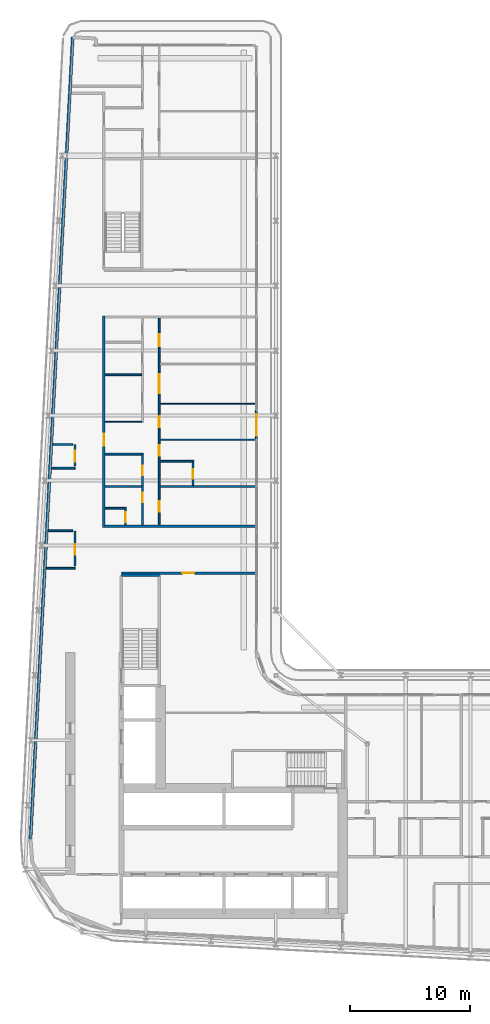
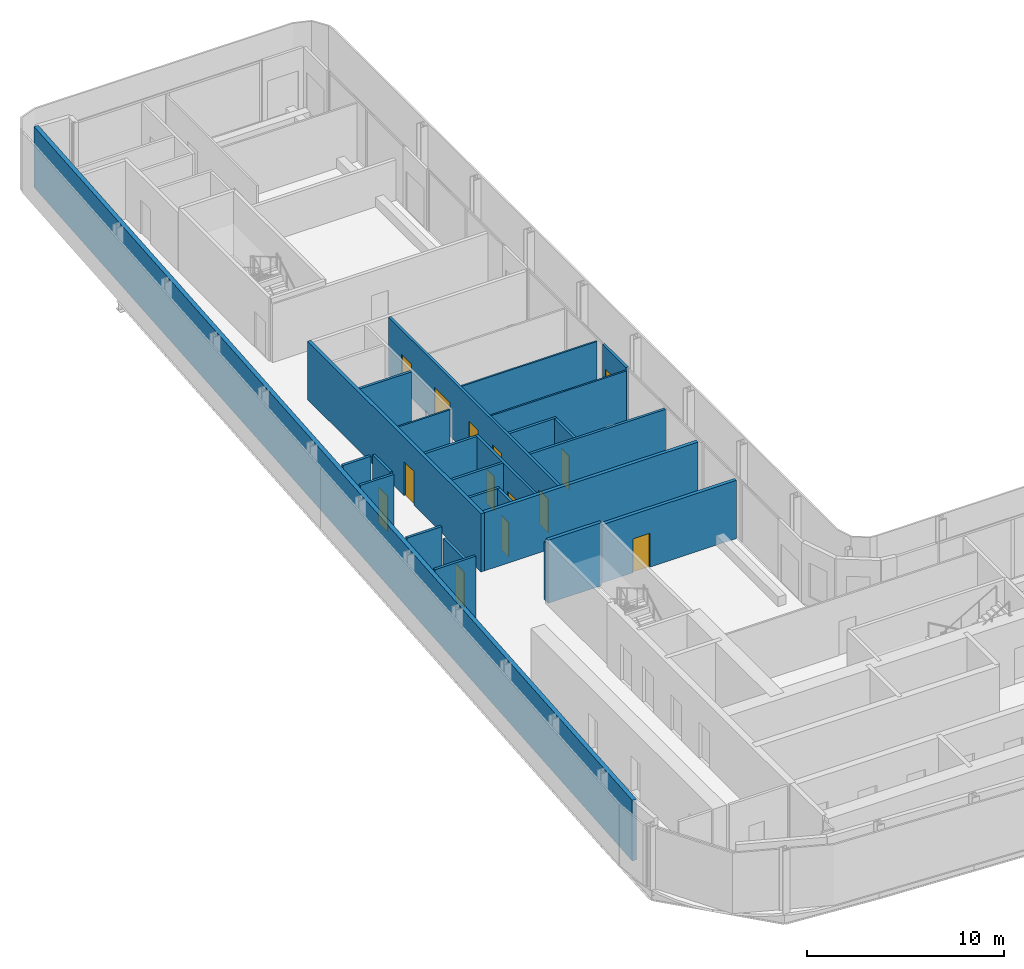
# One storey, part 18 of 29: 25 walls, 14 doors, 14 openings.
"""IFC4 building model written with IfcOpenShell, lengths in metres."""

from ifc_helpers import new_model, si_unit, direction, frame, frame_2d, origin, place, context, subcontext, project, spatial, rectangle, extrude, source, transform, mapped, material, layer, layer_set, type_object, element, fill, save


model = new_model("IFC4")

# Units and contexts
model_context = context("Model", 3, precision=1e-05, world=origin(), true_north=direction((0.0, 1.0)))
body_context = subcontext(model_context, "Body", "Model", "MODEL_VIEW")
ifc_project = project(units=[si_unit("LENGTHUNIT", "METRE"), si_unit("AREAUNIT", "SQUARE_METRE"), si_unit("VOLUMEUNIT", "CUBIC_METRE"), si_unit("PLANEANGLEUNIT", "RADIAN"), si_unit("MASSUNIT", "GRAM", prefix="KILO")], contexts=[model_context])

# Site, building, storey
site_placement = place(None, origin())
site = spatial("IfcSite", under=ifc_project, at=site_placement, CompositionType="ELEMENT")
building_placement = place(site_placement, origin())
building = spatial("IfcBuilding", under=site, at=building_placement, Name="Kheshtan School and Residences Tower", CompositionType="ELEMENT")
storey_placement = place(building_placement, frame((0.0, 0.0, 168.199951171875)))
storey = spatial("IfcBuildingStorey", under=building, at=storey_placement, Name="L39", CompositionType="ELEMENT", Elevation=168.199951171875)

# Wall, opening, door
ifc_material_1 = material(Name="Gypsum board on steel studs with fire boards", Category="steel")
ifc_layer_1 = layer(ifc_material_1, 0.199951171875)
ifc_layer_set_1 = layer_set([ifc_layer_1], Name="Corridor wall 200")
wall_type_1 = type_object("IfcWallType", Name="Corridor wall 200", PredefinedType="PARTITIONING", material=ifc_layer_set_1)
wall_1_placement = place(storey_placement, frame((33.300048828125, 57.89990234375, 0.0), z_axis=(0.0, 0.0, 1.0), x_axis=(0.0, 1.0, 0.0)))
wall_1 = element("IfcWall", 1, at=wall_1_placement, inside=storey, type_object=wall_type_1, Name="Partition L39-003", PredefinedType="PARTITIONING", context=body_context, shape_type="SweptSolid", body=[
    extrude(rectangle(XDim=17.60009765625, YDim=0.199951171875, at=frame_2d((8.800048828125, 0.0))), origin(), (0.0, 0.0, 1.0), 3.60009765625),
])
opening_1_placement = place(wall_1_placement, frame((6.800048828125, 0.0, 0.0)))
opening_1 = element("IfcOpeningElement", 2, at=opening_1_placement, cuts=wall_1, Name="Opening D39-035", PredefinedType="OPENING", context=body_context, shape_type="SweptSolid", body=[
    extrude(rectangle(XDim=1.0, YDim=2.10009765625, at=frame_2d((0.5, 1.050048828125))), frame((0.0, 0.10986328125, 0.0), z_axis=(0.0, -1.0, 0.0), x_axis=(1.0, 0.0, 0.0)), (0.0, 0.0, 1.0), 0.219970703125),
])
ifc_material_2 = material(Name="Steel-framed fire-resisting door leaf", Category="steel")
door_type_1 = type_object("IfcDoorType", Name="Fire door FD30S 1000 x 2100", OperationType="SINGLE_SWING_LEFT", PredefinedType="DOOR", material=ifc_material_2)
shared_shape_1 = source(origin(), body_context, "Body", "SweptSolid", [
    extrude(rectangle(XDim=1.0, YDim=2.10009765625, at=frame_2d((0.5, 1.050048828125))), frame((0.0, 0.02490234375, 0.0), z_axis=(0.0, -1.0, 0.0), x_axis=(1.0, 0.0, 0.0)), (0.0, 0.0, 1.0), 0.050048828125),
])
door_1_placement = place(opening_1_placement, origin())
door_1 = element("IfcDoor", 3, at=door_1_placement, inside=storey, type_object=door_type_1, Name="Door D39-035", OperationType="SINGLE_SWING_RIGHT", OverallHeight=2.10009765625, OverallWidth=1.0, PredefinedType="DOOR", context=body_context, shape_type="MappedRepresentation", body=[
    mapped(shared_shape_1, transform((0.0, 0.0, 0.0), x_axis=(1.0, 0.0, 0.0), y_axis=(0.0, 1.0, 0.0), z_axis=(0.0, 0.0, 1.0), scale=1.0)),
])
fill(opening_1, door_1)

# Wall
wall_2_placement = place(storey_placement, frame((33.39990234375, 58.0, 0.0), z_axis=(0.0, 0.0, 1.0), x_axis=(1.0, 0.0, 0.0)))
element("IfcWall", 4, at=wall_2_placement, inside=storey, type_object=wall_type_1, Name="Partition L39-006", PredefinedType="PARTITIONING", context=body_context, shape_type="SweptSolid", body=[
    extrude(rectangle(XDim=12.5, YDim=0.199951171875, at=frame_2d((6.25, 0.0))), origin(), (0.0, 0.0, 1.0), 3.60009765625),
])

# Wall, opening, door
wall_3_placement = place(storey_placement, frame((34.75, 54.10009765625, 0.0), z_axis=(0.0, 0.0, 1.0), x_axis=(1.0, 0.0, 0.0)))
wall_3 = element("IfcWall", 5, at=wall_3_placement, inside=storey, type_object=wall_type_1, Name="Partition L39-018", PredefinedType="PARTITIONING", context=body_context, shape_type="SweptSolid", body=[
    extrude(rectangle(XDim=11.14990234375, YDim=0.199951171875, at=frame_2d((5.574951171875, 0.0))), origin(), (0.0, 0.0, 1.0), 3.60009765625),
])
opening_2_placement = place(wall_3_placement, frame((5.074951171875, 0.0, 0.0)))
opening_2 = element("IfcOpeningElement", 6, at=opening_2_placement, cuts=wall_3, Name="Opening D39-051", PredefinedType="OPENING", context=body_context, shape_type="SweptSolid", body=[
    extrude(rectangle(XDim=1.0, YDim=2.10009765625, at=frame_2d((0.5, 1.050048828125))), frame((0.0, 0.10986328125, 0.0), z_axis=(0.0, -1.0, 0.0), x_axis=(1.0, 0.0, 0.0)), (0.0, 0.0, 1.0), 0.219970703125),
])
door_type_2 = type_object("IfcDoorType", Name="Fire door FD60 1000 x 2100", OperationType="SINGLE_SWING_LEFT", PredefinedType="DOOR", material=ifc_material_2)
shared_shape_2 = source(origin(), body_context, "Body", "SweptSolid", [
    extrude(rectangle(XDim=1.0, YDim=2.10009765625, at=frame_2d((0.5, 1.050048828125))), frame((0.0, 0.02490234375, 0.0), z_axis=(0.0, -1.0, 0.0), x_axis=(1.0, 0.0, 0.0)), (0.0, 0.0, 1.0), 0.050048828125),
])
door_2_placement = place(opening_2_placement, origin())
door_2 = element("IfcDoor", 7, at=door_2_placement, inside=storey, type_object=door_type_2, Name="Door D39-051", OperationType="SINGLE_SWING_RIGHT", OverallHeight=2.10009765625, OverallWidth=1.0, PredefinedType="DOOR", context=body_context, shape_type="MappedRepresentation", body=[
    mapped(shared_shape_2, transform((0.0, 0.0, 0.0), x_axis=(1.0, 0.0, 0.0), y_axis=(0.0, 1.0, 0.0), z_axis=(0.0, 0.0, 1.0), scale=1.0)),
])
fill(opening_2, door_2)

# Wall
ifc_material_3 = material(Name="Concrete C40/50 with ceramic cladding and mineral wool insulation", Category="concrete")
ifc_layer_2 = layer(ifc_material_3, 0.25)
ifc_layer_set_2 = layer_set([ifc_layer_2], Name="External wall 250 ceramic clad")
wall_type_2 = type_object("IfcWallType", Name="External wall 250 ceramic clad", PredefinedType="SOLIDWALL", material=ifc_layer_set_2)
wall_4_placement = place(storey_placement, frame((27.195068359375, 31.968994140625, 0.0), z_axis=(0.0, 0.0, 1.0), x_axis=(0.052554995867, 0.998618031286, 0.0)))
element("IfcWall", 8, at=wall_4_placement, inside=storey, type_object=wall_type_2, Name="External wall L39 4", PredefinedType="SOLIDWALL", context=body_context, shape_type="SweptSolid", body=[
    extrude(rectangle(XDim=66.787353515625, YDim=0.25, at=frame_2d((33.3935546875, 0.0))), origin(), (0.0, 0.0, 1.0), 3.75),
])

# Wall, opening, door
ifc_material_4 = material(Name="Aluminium frame wall with insulated infill", Category="aluminium")
ifc_layer_3 = layer(ifc_material_4, 0.14990234375)
ifc_layer_set_3 = layer_set([ifc_layer_3], Name="Glazing frame wall 150")
wall_type_3 = type_object("IfcWallType", Name="Glazing frame wall 150", PredefinedType="SOLIDWALL", material=ifc_layer_set_3)
wall_5_placement = place(storey_placement, frame((45.97509765625, 67.617919921875, 0.0), z_axis=(0.0, 0.0, 1.0), x_axis=(0.0, -1.0, 0.0)))
wall_5 = element("IfcWall", 9, at=wall_5_placement, inside=storey, type_object=wall_type_3, Name="Balcony door wall L39 8.4", PredefinedType="SOLIDWALL", context=body_context, shape_type="SweptSolid", body=[
    extrude(rectangle(XDim=2.39990234375, YDim=0.14990234375, at=frame_2d((1.199951171875, 0.0))), origin(), (0.0, 0.0, 1.0), 3.75),
])
opening_3_placement = place(wall_5_placement, frame((0.300048828125, 0.0, 0.0)))
opening_3 = element("IfcOpeningElement", 10, at=opening_3_placement, cuts=wall_5, Name="Opening BD", PredefinedType="OPENING", context=body_context, shape_type="SweptSolid", body=[
    extrude(rectangle(XDim=1.800048828125, YDim=2.39990234375, at=frame_2d((0.89990234375, 1.199951171875))), frame((0.0, 0.0849609375, 0.0), z_axis=(0.0, -1.0, 0.0), x_axis=(1.0, 0.0, 0.0)), (0.0, 0.0, 1.0), 0.169921875),
])
ifc_material_5 = material(Name="Clear low-e glass in thermally broken aluminium frame", Category="aluminium")
door_type_3 = type_object("IfcDoorType", Name="Balcony sliding door", OperationType="SLIDING_TO_LEFT", PredefinedType="DOOR", material=ifc_material_5)
shared_shape_3 = source(origin(), body_context, "Body", "SweptSolid", [
    extrude(rectangle(XDim=1.800048828125, YDim=2.39990234375, at=frame_2d((0.89990234375, 1.199951171875))), frame((0.0, 0.02490234375, 0.0), z_axis=(0.0, -1.0, 0.0), x_axis=(1.0, 0.0, 0.0)), (0.0, 0.0, 1.0), 0.050048828125),
])
door_3_placement = place(opening_3_placement, origin())
door_3 = element("IfcDoor", 11, at=door_3_placement, inside=storey, type_object=door_type_3, Name="Balcony door L39 8.4", OperationType="SLIDING_TO_LEFT", OverallHeight=2.39990234375, OverallWidth=1.800048828125, PredefinedType="DOOR", context=body_context, shape_type="MappedRepresentation", body=[
    mapped(shared_shape_3, transform((0.0, 0.0, 0.0), x_axis=(1.0, 0.0, 0.0), y_axis=(0.0, 1.0, 0.0), z_axis=(0.0, 0.0, 1.0), scale=1.0)),
])
fill(opening_3, door_3)

# Walls
ifc_material_6 = material(Name="Gypsum board on steel studs", Category="steel")
ifc_layer_4 = layer(ifc_material_6, 0.10009765625)
ifc_layer_set_4 = layer_set([ifc_layer_4], Name="Gypsum partition 100")
wall_type_4 = type_object("IfcWallType", Name="Gypsum partition 100", PredefinedType="PARTITIONING", material=ifc_layer_set_4)
wall_6_placement = place(storey_placement, frame((33.39990234375, 66.699951171875, 0.0), z_axis=(0.0, 0.0, 1.0), x_axis=(1.0, 0.0, 0.0)))
element("IfcWall", 12, at=wall_6_placement, inside=storey, type_object=wall_type_4, Name="Partition L39-010", PredefinedType="PARTITIONING", context=body_context, shape_type="SweptSolid", body=[
    extrude(rectangle(XDim=3.025146484375, YDim=0.10009765625, at=frame_2d((1.5126953125, 0.0))), origin(), (0.0, 0.0, 1.0), 3.60009765625),
])
for number, where, z_axis, x_axis, name in (
    (13, (37.97509765625, 65.199951171875, 0.0), (0.0, 0.0, 1.0), (1.0, 0.0, 0.0), "Partition L39-030"),
    (14, (37.97509765625, 68.199951171875, 0.0), (0.0, 0.0, 1.0), (1.0, 0.0, 0.0), "Partition L39-031"),
):
    element("IfcWall", number, at=place(storey_placement, frame(where, z_axis=z_axis, x_axis=x_axis)), inside=storey, type_object=wall_type_4, Name=name, PredefinedType="PARTITIONING", context=body_context, shape_type="SweptSolid", body=[
        extrude(rectangle(XDim=7.9248046875, YDim=0.10009765625, at=frame_2d((3.96240234375, 0.0))), origin(), (0.0, 0.0, 1.0), 3.60009765625),
    ])
ifc_material_7 = material(Name="Fire-board shaft wall system")
ifc_layer_5 = layer(ifc_material_7, 0.14990234375)
ifc_layer_set_5 = layer_set([ifc_layer_5], Name="Service room wall 150")
wall_type_5 = type_object("IfcWallType", Name="Service room wall 150", PredefinedType="PARTITIONING", material=ifc_layer_set_5)
wall_7_placement = place(storey_placement, frame((28.508056640625, 54.5, 0.0), z_axis=(0.0, 0.0, 1.0), x_axis=(1.0, 0.0, 0.0)))
element("IfcWall", 15, at=wall_7_placement, inside=storey, type_object=wall_type_5, Name="Service room wall", PredefinedType="PARTITIONING", context=body_context, shape_type="SweptSolid", body=[
    extrude(rectangle(XDim=2.391845703125, YDim=0.14990234375, at=frame_2d((1.19580078125, 0.0))), origin(), (0.0, 0.0, 1.0), 3.900146484375),
])

# Wall, opening, door
wall_8_placement = place(storey_placement, frame((30.89990234375, 54.695068359375, 0.0), z_axis=(0.0, 0.0, 1.0), x_axis=(0.0, 1.0, 0.0)))
wall_8 = element("IfcWall", 16, at=wall_8_placement, inside=storey, type_object=wall_type_5, Name="Service room wall", PredefinedType="PARTITIONING", context=body_context, shape_type="SweptSolid", body=[
    extrude(rectangle(XDim=2.930908203125, YDim=0.14990234375, at=frame_2d((1.46533203125, 0.0))), origin(), (0.0, 0.0, 1.0), 3.072021484375),
])
opening_4_placement = place(wall_8_placement, frame((0.91796875, 0.0, 0.0)))
opening_4 = element("IfcOpeningElement", 17, at=opening_4_placement, cuts=wall_8, Name="Opening SR90", PredefinedType="OPENING", context=body_context, shape_type="SweptSolid", body=[
    extrude(rectangle(XDim=0.89990234375, YDim=2.199951171875, at=frame_2d((0.449951171875, 1.10009765625))), frame((0.0, 0.0849609375, 0.0), z_axis=(0.0, -1.0, 0.0), x_axis=(1.0, 0.0, 0.0)), (0.0, 0.0, 1.0), 0.169921875),
])
ifc_material_8 = material(Name="Steel door leaf, galvanised", Category="steel")
door_type_4 = type_object("IfcDoorType", Name="Service room door 900 steel 90 min", OperationType="SINGLE_SWING_LEFT", PredefinedType="DOOR", material=ifc_material_8)
shared_shape_4 = source(origin(), body_context, "Body", "SweptSolid", [
    extrude(rectangle(XDim=0.89990234375, YDim=2.199951171875, at=frame_2d((0.449951171875, 1.10009765625))), frame((0.0, 0.02490234375, 0.0), z_axis=(0.0, -1.0, 0.0), x_axis=(1.0, 0.0, 0.0)), (0.0, 0.0, 1.0), 0.050048828125),
])
door_4_placement = place(opening_4_placement, origin())
door_4 = element("IfcDoor", 18, at=door_4_placement, inside=storey, type_object=door_type_4, Name="Service room door", OperationType="SINGLE_SWING_LEFT", OverallHeight=2.199951171875, OverallWidth=0.89990234375, PredefinedType="DOOR", context=body_context, shape_type="MappedRepresentation", body=[
    mapped(shared_shape_4, transform((0.0, 0.0, 0.0), x_axis=(1.0, 0.0, 0.0), y_axis=(0.0, 1.0, 0.0), z_axis=(0.0, 0.0, 1.0), scale=1.0)),
])
fill(opening_4, door_4)

# Walls
wall_9_placement = place(storey_placement, frame((28.673095703125, 57.6259765625, 0.0), z_axis=(0.0, 0.0, 1.0), x_axis=(1.0, 0.0, 0.0)))
element("IfcWall", 19, at=wall_9_placement, inside=storey, type_object=wall_type_5, Name="Service room wall", PredefinedType="PARTITIONING", context=body_context, shape_type="SweptSolid", body=[
    extrude(rectangle(XDim=2.031982421875, YDim=0.14990234375, at=frame_2d((1.01611328125, 0.0))), origin(), (0.0, 0.0, 1.0), 3.900146484375),
])
wall_10_placement = place(storey_placement, frame((28.947021484375, 62.8330078125, 0.0), z_axis=(0.0, 0.0, 1.0), x_axis=(1.0, 0.0, 0.0)))
element("IfcWall", 20, at=wall_10_placement, inside=storey, type_object=wall_type_5, Name="Service room wall", PredefinedType="PARTITIONING", context=body_context, shape_type="SweptSolid", body=[
    extrude(rectangle(XDim=1.952880859375, YDim=0.14990234375, at=frame_2d((0.9765625, 0.0))), origin(), (0.0, 0.0, 1.0), 3.900146484375),
])

# Wall, opening, door
wall_11_placement = place(storey_placement, frame((30.89990234375, 63.028076171875, 0.0), z_axis=(0.0, 0.0, 1.0), x_axis=(0.0, 1.0, 0.0)))
wall_11 = element("IfcWall", 21, at=wall_11_placement, inside=storey, type_object=wall_type_5, Name="Service room wall", PredefinedType="PARTITIONING", context=body_context, shape_type="SweptSolid", body=[
    extrude(rectangle(XDim=1.77197265625, YDim=0.14990234375, at=frame_2d((0.885986328125, 0.0))), origin(), (0.0, 0.0, 1.0), 3.900146484375),
])
opening_5_placement = place(wall_11_placement, frame((0.337890625, 0.0, 0.0)))
opening_5 = element("IfcOpeningElement", 22, at=opening_5_placement, cuts=wall_11, Name="Opening SR90", PredefinedType="OPENING", context=body_context, shape_type="SweptSolid", body=[
    extrude(rectangle(XDim=0.89990234375, YDim=2.199951171875, at=frame_2d((0.449951171875, 1.10009765625))), frame((0.0, 0.0849609375, 0.0), z_axis=(0.0, -1.0, 0.0), x_axis=(1.0, 0.0, 0.0)), (0.0, 0.0, 1.0), 0.169921875),
])
door_5_placement = place(opening_5_placement, origin())
door_5 = element("IfcDoor", 23, at=door_5_placement, inside=storey, type_object=door_type_4, Name="Service room door", OperationType="SINGLE_SWING_LEFT", OverallHeight=2.199951171875, OverallWidth=0.89990234375, PredefinedType="DOOR", context=body_context, shape_type="MappedRepresentation", body=[
    mapped(shared_shape_4, transform((0.0, 0.0, 0.0), x_axis=(1.0, 0.0, 0.0), y_axis=(0.0, 1.0, 0.0), z_axis=(0.0, 0.0, 1.0), scale=1.0)),
])
fill(opening_5, door_5)

# Walls
wall_12_placement = place(storey_placement, frame((29.050048828125, 64.800048828125, 0.0), z_axis=(0.0, 0.0, 1.0), x_axis=(1.0, 0.0, 0.0)))
element("IfcWall", 24, at=wall_12_placement, inside=storey, type_object=wall_type_5, Name="Service room wall", PredefinedType="PARTITIONING", context=body_context, shape_type="SweptSolid", body=[
    extrude(rectangle(XDim=1.655029296875, YDim=0.14990234375, at=frame_2d((0.82763671875, 0.0))), origin(), (0.0, 0.0, 1.0), 3.900146484375),
])
ifc_material_9 = material(Name="Concrete C40/50", Category="concrete")
ifc_layer_6 = layer(ifc_material_9, 0.199951171875)
ifc_layer_set_6 = layer_set([ifc_layer_6], Name="Stair enclosure wall 200 Concrete C40/50")
wall_type_6 = type_object("IfcWallType", Name="Stair enclosure wall 200 Concrete C40/50", PredefinedType="SHEAR", material=ifc_layer_set_6)
wall_13_placement = place(storey_placement, frame((34.75, 53.909912109375, 0.0), z_axis=(0.0, 0.0, 1.0), x_axis=(1.0, 0.0, 0.0)))
element("IfcWall", 25, at=wall_13_placement, inside=storey, type_object=wall_type_6, Name="Stair enclosure wall ST2", PredefinedType="SHEAR", context=body_context, shape_type="SweptSolid", body=[
    extrude(rectangle(XDim=3.14990234375, YDim=0.199951171875, at=frame_2d((1.574951171875, 0.0))), origin(), (0.0, 0.0, 1.0), 3.900146484375),
])
ifc_material_10 = material(Name="Moisture-resistant gypsum board on steel studs", Category="steel")
ifc_layer_7 = layer(ifc_material_10, 0.14990234375)
ifc_layer_set_7 = layer_set([ifc_layer_7], Name="Wet-room partition 150")
wall_type_7 = type_object("IfcWallType", Name="Wet-room partition 150", PredefinedType="PARTITIONING", material=ifc_layer_set_7)
wall_14_placement = place(storey_placement, frame((33.39990234375, 59.5, 0.0), z_axis=(0.0, 0.0, 1.0), x_axis=(1.0, 0.0, 0.0)))
element("IfcWall", 26, at=wall_14_placement, inside=storey, type_object=wall_type_7, Name="Partition L39-007", PredefinedType="PARTITIONING", context=body_context, shape_type="SweptSolid", body=[
    extrude(rectangle(XDim=1.775146484375, YDim=0.14990234375, at=frame_2d((0.8876953125, 0.0))), origin(), (0.0, 0.0, 1.0), 3.60009765625),
])
for number, where, z_axis, x_axis, name in (
    (27, (33.39990234375, 61.300048828125, 0.0), (0.0, 0.0, 1.0), (1.0, 0.0, 0.0), "Partition L39-008"),
    (28, (33.39990234375, 64.0, 0.0), (0.0, 0.0, 1.0), (1.0, 0.0, 0.0), "Partition L39-009"),
    (29, (33.39990234375, 70.60009765625, 0.0), (0.0, 0.0, 1.0), (1.0, 0.0, 0.0), "Partition L39-011"),
):
    element("IfcWall", number, at=place(storey_placement, frame(where, z_axis=z_axis, x_axis=x_axis)), inside=storey, type_object=wall_type_7, Name=name, PredefinedType="PARTITIONING", context=body_context, shape_type="SweptSolid", body=[
        extrude(rectangle(XDim=3.025146484375, YDim=0.14990234375, at=frame_2d((1.5126953125, 0.0))), origin(), (0.0, 0.0, 1.0), 3.60009765625),
    ])

# Wall, opening, door
wall_15_placement = place(storey_placement, frame((35.10009765625, 58.10009765625, 0.0), z_axis=(0.0, 0.0, 1.0), x_axis=(0.0, 1.0, 0.0)))
wall_15 = element("IfcWall", 30, at=wall_15_placement, inside=storey, type_object=wall_type_7, Name="Partition L39-019", PredefinedType="PARTITIONING", context=body_context, shape_type="SweptSolid", body=[
    extrude(rectangle(XDim=1.324951171875, YDim=0.14990234375, at=frame_2d((0.66259765625, 0.0))), origin(), (0.0, 0.0, 1.0), 3.60009765625),
])
opening_6_placement = place(wall_15_placement, frame((0.25, 0.0, 0.0)))
opening_6 = element("IfcOpeningElement", 31, at=opening_6_placement, cuts=wall_15, Name="Opening D39-039", PredefinedType="OPENING", context=body_context, shape_type="SweptSolid", body=[
    extrude(rectangle(XDim=0.800048828125, YDim=2.10009765625, at=frame_2d((0.39990234375, 1.050048828125))), frame((0.0, 0.0849609375, 0.0), z_axis=(0.0, -1.0, 0.0), x_axis=(1.0, 0.0, 0.0)), (0.0, 0.0, 1.0), 0.169921875),
])
ifc_material_11 = material(Name="Veneered timber door leaf", Category="wood")
door_type_5 = type_object("IfcDoorType", Name="Door 800 x 2100", OperationType="SINGLE_SWING_LEFT", PredefinedType="DOOR", material=ifc_material_11)
shared_shape_5 = source(origin(), body_context, "Body", "SweptSolid", [
    extrude(rectangle(XDim=0.800048828125, YDim=2.10009765625, at=frame_2d((0.39990234375, 1.050048828125))), frame((0.0, 0.02490234375, 0.0), z_axis=(0.0, -1.0, 0.0), x_axis=(1.0, 0.0, 0.0)), (0.0, 0.0, 1.0), 0.050048828125),
])
door_6_placement = place(opening_6_placement, origin())
door_6 = element("IfcDoor", 32, at=door_6_placement, inside=storey, type_object=door_type_5, Name="Door D39-039", OperationType="SINGLE_SWING_RIGHT", OverallHeight=2.10009765625, OverallWidth=0.800048828125, PredefinedType="DOOR", context=body_context, shape_type="MappedRepresentation", body=[
    mapped(shared_shape_5, transform((0.0, 0.0, 0.0), x_axis=(1.0, 0.0, 0.0), y_axis=(0.0, 1.0, 0.0), z_axis=(0.0, 0.0, 1.0), scale=1.0)),
])
fill(opening_6, door_6)

# Wall, openings, doors
wall_16_placement = place(storey_placement, frame((36.5, 58.10009765625, 0.0), z_axis=(0.0, 0.0, 1.0), x_axis=(0.0, 1.0, 0.0)))
wall_16 = element("IfcWall", 33, at=wall_16_placement, inside=storey, type_object=wall_type_7, Name="Partition L39-021", PredefinedType="PARTITIONING", context=body_context, shape_type="SweptSolid", body=[
    extrude(rectangle(XDim=5.974853515625, YDim=0.14990234375, at=frame_2d((2.9873046875, 0.0))), origin(), (0.0, 0.0, 1.0), 3.60009765625),
])
opening_7_placement = place(wall_16_placement, frame((4.14990234375, 0.0, 0.0)))
opening_7 = element("IfcOpeningElement", 34, at=opening_7_placement, cuts=wall_16, Name="Opening D39-030", PredefinedType="OPENING", context=body_context, shape_type="SweptSolid", body=[
    extrude(rectangle(XDim=0.800048828125, YDim=2.10009765625, at=frame_2d((0.39990234375, 1.050048828125))), frame((0.0, 0.0849609375, 0.0), z_axis=(0.0, -1.0, 0.0), x_axis=(1.0, 0.0, 0.0)), (0.0, 0.0, 1.0), 0.169921875),
])
opening_8_placement = place(wall_16_placement, frame((1.89990234375, 0.0, 0.0)))
opening_8 = element("IfcOpeningElement", 35, at=opening_8_placement, cuts=wall_16, Name="Opening D39-038", PredefinedType="OPENING", context=body_context, shape_type="SweptSolid", body=[
    extrude(rectangle(XDim=0.800048828125, YDim=2.10009765625, at=frame_2d((0.39990234375, 1.050048828125))), frame((0.0, 0.0849609375, 0.0), z_axis=(0.0, -1.0, 0.0), x_axis=(1.0, 0.0, 0.0)), (0.0, 0.0, 1.0), 0.169921875),
])
door_7_placement = place(opening_7_placement, origin())
door_7 = element("IfcDoor", 36, at=door_7_placement, inside=storey, type_object=door_type_5, Name="Door D39-030", OperationType="SINGLE_SWING_RIGHT", OverallHeight=2.10009765625, OverallWidth=0.800048828125, PredefinedType="DOOR", context=body_context, shape_type="MappedRepresentation", body=[
    mapped(shared_shape_5, transform((0.0, 0.0, 0.0), x_axis=(1.0, 0.0, 0.0), y_axis=(0.0, 1.0, 0.0), z_axis=(0.0, 0.0, 1.0), scale=1.0)),
])
fill(opening_7, door_7)
door_8_placement = place(opening_8_placement, origin())
door_8 = element("IfcDoor", 37, at=door_8_placement, inside=storey, type_object=door_type_5, Name="Door D39-038", OperationType="SINGLE_SWING_RIGHT", OverallHeight=2.10009765625, OverallWidth=0.800048828125, PredefinedType="DOOR", context=body_context, shape_type="MappedRepresentation", body=[
    mapped(shared_shape_5, transform((0.0, 0.0, 0.0), x_axis=(1.0, 0.0, 0.0), y_axis=(0.0, 1.0, 0.0), z_axis=(0.0, 0.0, 1.0), scale=1.0)),
])
fill(opening_8, door_8)

wall_17_placement = place(storey_placement, frame((37.89990234375, 58.10009765625, 0.0), z_axis=(0.0, 0.0, 1.0), x_axis=(0.0, 1.0, 0.0)))
wall_17 = element("IfcWall", 38, at=wall_17_placement, inside=storey, type_object=wall_type_7, Name="Partition L39-025", PredefinedType="PARTITIONING", context=body_context, shape_type="SweptSolid", body=[
    extrude(rectangle(XDim=17.199951171875, YDim=0.14990234375, at=frame_2d((8.60009765625, 0.0))), origin(), (0.0, 0.0, 1.0), 3.60009765625),
])
opening_9_placement = place(wall_17_placement, frame((1.10009765625, 0.0, 0.0)))
opening_9 = element("IfcOpeningElement", 39, at=opening_9_placement, cuts=wall_17, Name="Opening D39-032", PredefinedType="OPENING", context=body_context, shape_type="SweptSolid", body=[
    extrude(rectangle(XDim=0.89990234375, YDim=2.10009765625, at=frame_2d((0.449951171875, 1.050048828125))), frame((0.0, 0.0849609375, 0.0), z_axis=(0.0, -1.0, 0.0), x_axis=(1.0, 0.0, 0.0)), (0.0, 0.0, 1.0), 0.169921875),
])
opening_10_placement = place(wall_17_placement, frame((8.14990234375, 0.0, 0.0)))
opening_10 = element("IfcOpeningElement", 40, at=opening_10_placement, cuts=wall_17, Name="Opening D39-033", PredefinedType="OPENING", context=body_context, shape_type="SweptSolid", body=[
    extrude(rectangle(XDim=0.89990234375, YDim=2.10009765625, at=frame_2d((0.449951171875, 1.050048828125))), frame((0.0, 0.0849609375, 0.0), z_axis=(0.0, -1.0, 0.0), x_axis=(1.0, 0.0, 0.0)), (0.0, 0.0, 1.0), 0.169921875),
])
opening_11_placement = place(wall_17_placement, frame((14.85009765625, 0.0, 0.0)))
opening_11 = element("IfcOpeningElement", 41, at=opening_11_placement, cuts=wall_17, Name="Opening D39-037", PredefinedType="OPENING", context=body_context, shape_type="SweptSolid", body=[
    extrude(rectangle(XDim=1.0, YDim=2.10009765625, at=frame_2d((0.5, 1.050048828125))), frame((0.0, 0.0849609375, 0.0), z_axis=(0.0, -1.0, 0.0), x_axis=(1.0, 0.0, 0.0)), (0.0, 0.0, 1.0), 0.169921875),
])
opening_12_placement = place(wall_17_placement, frame((10.949951171875, 0.0, 0.0)))
opening_12 = element("IfcOpeningElement", 42, at=opening_12_placement, cuts=wall_17, Name="Opening D39-040", PredefinedType="OPENING", context=body_context, shape_type="SweptSolid", body=[
    extrude(rectangle(XDim=1.60009765625, YDim=2.10009765625, at=frame_2d((0.800048828125, 1.050048828125))), frame((0.0, 0.0849609375, 0.0), z_axis=(0.0, -1.0, 0.0), x_axis=(1.0, 0.0, 0.0)), (0.0, 0.0, 1.0), 0.169921875),
])
opening_13_placement = place(wall_17_placement, frame((5.75, 0.0, 0.0)))
opening_13 = element("IfcOpeningElement", 43, at=opening_13_placement, cuts=wall_17, Name="Opening D39-041", PredefinedType="OPENING", context=body_context, shape_type="SweptSolid", body=[
    extrude(rectangle(XDim=0.89990234375, YDim=2.10009765625, at=frame_2d((0.449951171875, 1.050048828125))), frame((0.0, 0.0849609375, 0.0), z_axis=(0.0, -1.0, 0.0), x_axis=(1.0, 0.0, 0.0)), (0.0, 0.0, 1.0), 0.169921875),
])
door_type_6 = type_object("IfcDoorType", Name="Door 1000 x 2100", OperationType="SINGLE_SWING_LEFT", PredefinedType="DOOR", material=ifc_material_11)
shared_shape_6 = source(origin(), body_context, "Body", "SweptSolid", [
    extrude(rectangle(XDim=1.0, YDim=2.10009765625, at=frame_2d((0.5, 1.050048828125))), frame((0.0, 0.02490234375, 0.0), z_axis=(0.0, -1.0, 0.0), x_axis=(1.0, 0.0, 0.0)), (0.0, 0.0, 1.0), 0.050048828125),
])
door_9_placement = place(opening_11_placement, origin())
door_9 = element("IfcDoor", 44, at=door_9_placement, inside=storey, type_object=door_type_6, Name="Door D39-037", OperationType="SINGLE_SWING_LEFT", OverallHeight=2.10009765625, OverallWidth=1.0, PredefinedType="DOOR", context=body_context, shape_type="MappedRepresentation", body=[
    mapped(shared_shape_6, transform((0.0, 0.0, 0.0), x_axis=(1.0, 0.0, 0.0), y_axis=(0.0, 1.0, 0.0), z_axis=(0.0, 0.0, 1.0), scale=1.0)),
])
fill(opening_11, door_9)
door_type_7 = type_object("IfcDoorType", Name="Door 900 x 2100", OperationType="SINGLE_SWING_LEFT", PredefinedType="DOOR", material=ifc_material_11)
shared_shape_7 = source(origin(), body_context, "Body", "SweptSolid", [
    extrude(rectangle(XDim=0.89990234375, YDim=2.10009765625, at=frame_2d((0.449951171875, 1.050048828125))), frame((0.0, 0.02490234375, 0.0), z_axis=(0.0, -1.0, 0.0), x_axis=(1.0, 0.0, 0.0)), (0.0, 0.0, 1.0), 0.050048828125),
])
door_10_placement = place(opening_9_placement, origin())
door_10 = element("IfcDoor", 45, at=door_10_placement, inside=storey, type_object=door_type_7, Name="Door D39-032", OperationType="SINGLE_SWING_RIGHT", OverallHeight=2.10009765625, OverallWidth=0.89990234375, PredefinedType="DOOR", context=body_context, shape_type="MappedRepresentation", body=[
    mapped(shared_shape_7, transform((0.0, 0.0, 0.0), x_axis=(1.0, 0.0, 0.0), y_axis=(0.0, 1.0, 0.0), z_axis=(0.0, 0.0, 1.0), scale=1.0)),
])
fill(opening_9, door_10)
door_11_placement = place(opening_10_placement, origin())
door_11 = element("IfcDoor", 46, at=door_11_placement, inside=storey, type_object=door_type_7, Name="Door D39-033", OperationType="SINGLE_SWING_LEFT", OverallHeight=2.10009765625, OverallWidth=0.89990234375, PredefinedType="DOOR", context=body_context, shape_type="MappedRepresentation", body=[
    mapped(shared_shape_7, transform((0.0, 0.0, 0.0), x_axis=(1.0, 0.0, 0.0), y_axis=(0.0, 1.0, 0.0), z_axis=(0.0, 0.0, 1.0), scale=1.0)),
])
fill(opening_10, door_11)
door_12_placement = place(opening_13_placement, origin())
door_12 = element("IfcDoor", 47, at=door_12_placement, inside=storey, type_object=door_type_7, Name="Door D39-041", OperationType="SINGLE_SWING_LEFT", OverallHeight=2.10009765625, OverallWidth=0.89990234375, PredefinedType="DOOR", context=body_context, shape_type="MappedRepresentation", body=[
    mapped(shared_shape_7, transform((0.0, 0.0, 0.0), x_axis=(1.0, 0.0, 0.0), y_axis=(0.0, 1.0, 0.0), z_axis=(0.0, 0.0, 1.0), scale=1.0)),
])
fill(opening_13, door_12)
door_type_8 = type_object("IfcDoorType", Name="Double door 1600 x 2100", OperationType="DOUBLE_DOOR_SINGLE_SWING", PredefinedType="DOOR", material=ifc_material_11)
shared_shape_8 = source(origin(), body_context, "Body", "SweptSolid", [
    extrude(rectangle(XDim=1.60009765625, YDim=2.10009765625, at=frame_2d((0.800048828125, 1.050048828125))), frame((0.0, 0.02490234375, 0.0), z_axis=(0.0, -1.0, 0.0), x_axis=(1.0, 0.0, 0.0)), (0.0, 0.0, 1.0), 0.050048828125),
])
door_13_placement = place(opening_12_placement, origin())
door_13 = element("IfcDoor", 48, at=door_13_placement, inside=storey, type_object=door_type_8, Name="Door D39-040", OperationType="DOUBLE_DOOR_SINGLE_SWING", OverallHeight=2.10009765625, OverallWidth=1.60009765625, PredefinedType="DOOR", context=body_context, shape_type="MappedRepresentation", body=[
    mapped(shared_shape_8, transform((0.0, 0.0, 0.0), x_axis=(1.0, 0.0, 0.0), y_axis=(0.0, 1.0, 0.0), z_axis=(0.0, 0.0, 1.0), scale=1.0)),
])
fill(opening_12, door_13)

# Walls
wall_18_placement = place(storey_placement, frame((37.97509765625, 61.300048828125, 0.0), z_axis=(0.0, 0.0, 1.0), x_axis=(1.0, 0.0, 0.0)))
element("IfcWall", 49, at=wall_18_placement, inside=storey, type_object=wall_type_7, Name="Partition L39-028", PredefinedType="PARTITIONING", context=body_context, shape_type="SweptSolid", body=[
    extrude(rectangle(XDim=7.9248046875, YDim=0.14990234375, at=frame_2d((3.96240234375, 0.0))), origin(), (0.0, 0.0, 1.0), 3.60009765625),
])
wall_19_placement = place(storey_placement, frame((37.97509765625, 63.39990234375, 0.0), z_axis=(0.0, 0.0, 1.0), x_axis=(1.0, 0.0, 0.0)))
element("IfcWall", 50, at=wall_19_placement, inside=storey, type_object=wall_type_7, Name="Partition L39-029", PredefinedType="PARTITIONING", context=body_context, shape_type="SweptSolid", body=[
    extrude(rectangle(XDim=2.7998046875, YDim=0.14990234375, at=frame_2d((1.39990234375, 0.0))), origin(), (0.0, 0.0, 1.0), 3.60009765625),
])

# Wall, opening, door
wall_20_placement = place(storey_placement, frame((40.699951171875, 61.375, 0.0), z_axis=(0.0, 0.0, 1.0), x_axis=(0.0, 1.0, 0.0)))
wall_20 = element("IfcWall", 51, at=wall_20_placement, inside=storey, type_object=wall_type_7, Name="Partition L39-034", PredefinedType="PARTITIONING", context=body_context, shape_type="SweptSolid", body=[
    extrude(rectangle(XDim=1.949951171875, YDim=0.14990234375, at=frame_2d((0.97509765625, 0.0))), origin(), (0.0, 0.0, 1.0), 3.60009765625),
])
opening_14_placement = place(wall_20_placement, frame((0.574951171875, 0.0, 0.0)))
opening_14 = element("IfcOpeningElement", 52, at=opening_14_placement, cuts=wall_20, Name="Opening D39-034", PredefinedType="OPENING", context=body_context, shape_type="SweptSolid", body=[
    extrude(rectangle(XDim=0.800048828125, YDim=2.10009765625, at=frame_2d((0.39990234375, 1.050048828125))), frame((0.0, 0.0849609375, 0.0), z_axis=(0.0, -1.0, 0.0), x_axis=(1.0, 0.0, 0.0)), (0.0, 0.0, 1.0), 0.169921875),
])
door_14_placement = place(opening_14_placement, origin())
door_14 = element("IfcDoor", 53, at=door_14_placement, inside=storey, type_object=door_type_5, Name="Door D39-034", OperationType="SINGLE_SWING_RIGHT", OverallHeight=2.10009765625, OverallWidth=0.800048828125, PredefinedType="DOOR", context=body_context, shape_type="MappedRepresentation", body=[
    mapped(shared_shape_5, transform((0.0, 0.0, 0.0), x_axis=(1.0, 0.0, 0.0), y_axis=(0.0, 1.0, 0.0), z_axis=(0.0, 0.0, 1.0), scale=1.0)),
])
fill(opening_14, door_14)

save(model, "model.ifc")
